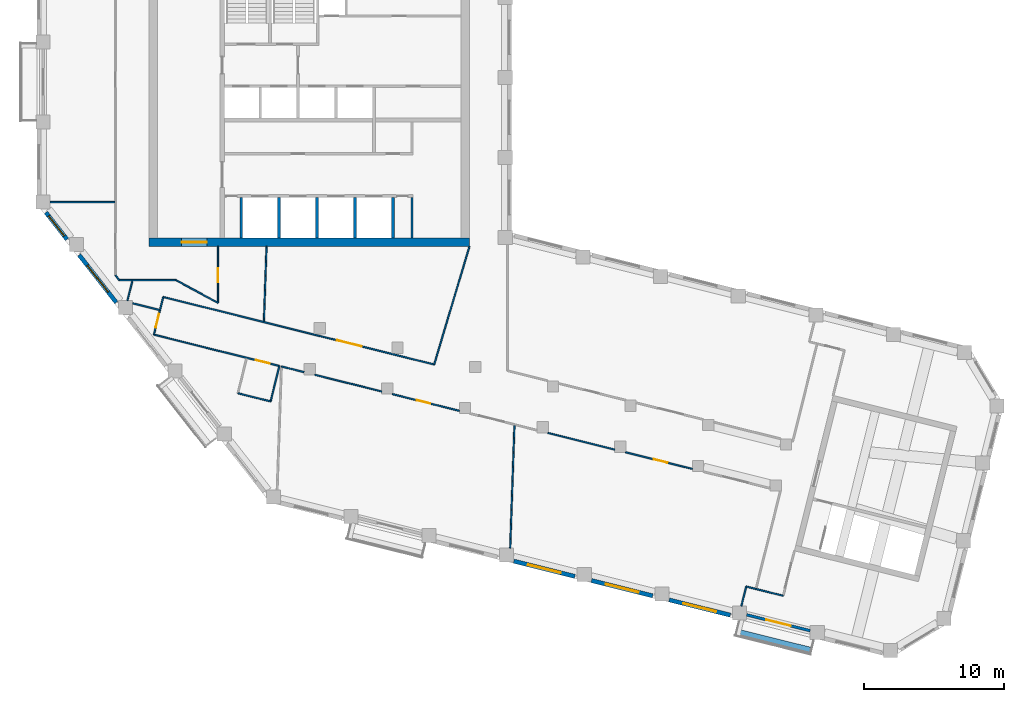
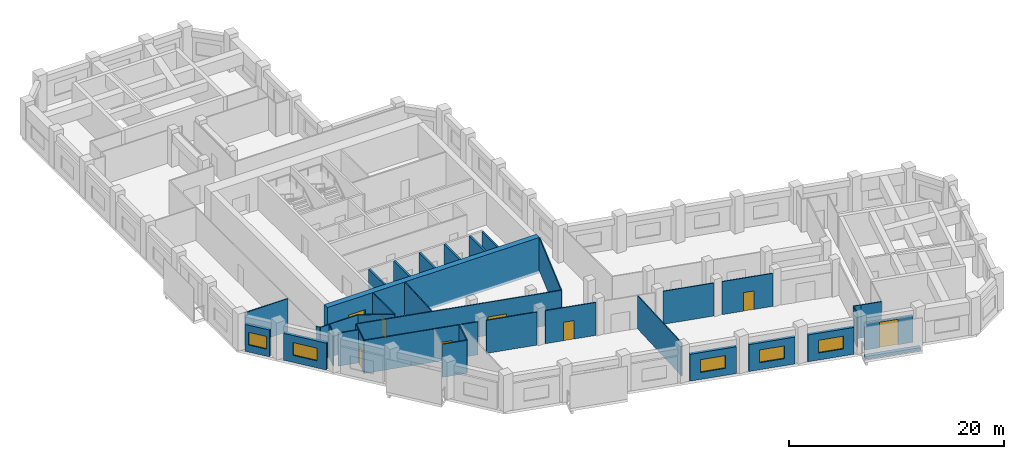
# One storey, part 3 of 9: 37 walls, 8 doors, 5 windows, 13 openings.
"""IFC4 building model written with IfcOpenShell, lengths in metres."""

import ifcopenshell
import ifcopenshell.guid

model = None  # the IFC model being written
_history = None  # IfcOwnerHistory: only IFC2X3 demands one
_inside = {}  # id of a spatial element -> (the spatial element, [elements in it])
_under = {}  # id of a project, library or spatial element -> (it, [spatial elements below it])
_declared = {}  # id of a project -> (the project, [libraries it declares])
_typed = {}  # id of a type object -> (the type object, [elements of that type])
_made_of = {}  # id of a material, layer set ... -> (it, [elements and type objects made of it])


def new_model(schema):
    """Start an empty IFC model of exactly this schema.

    Asked for "IFC4X3", IfcOpenShell would pick the latest addendum, in which some entities
    have other attributes; the version numbers below select the first issue.
    IFC2X3 requires an IfcOwnerHistory on every rooted entity: one is made here for all.
    """
    global model, _history
    if schema == "IFC4X3":
        model = ifcopenshell.file(schema_version=(4, 3, 0, 0))
    else:
        model = ifcopenshell.file(schema=schema)
    _inside.clear()
    _under.clear()
    _declared.clear()
    _typed.clear()
    _made_of.clear()
    _history = None
    if model.schema == "IFC2X3":
        org = make("IfcOrganization", Name="unknown")
        user = make(
            "IfcPersonAndOrganization",
            ThePerson=make("IfcPerson", FamilyName="unknown"),
            TheOrganization=org,
        )
        app = make(
            "IfcApplication",
            ApplicationDeveloper=org,
            Version="unknown",
            ApplicationFullName="unknown",
            ApplicationIdentifier="unknown",
        )
        _history = make(
            "IfcOwnerHistory",
            OwningUser=user,
            OwningApplication=app,
            ChangeAction="ADDED",
            CreationDate=0,
        )
    return model


def make(cls, **values):
    """One entity of the class cls with the attributes given. An attribute that is None is left unset."""
    return model.create_entity(
        cls, **{name: value for name, value in values.items() if value is not None}
    )


def rooted(cls, **values):
    """An entity with a GlobalId (a new one), such as an element, a storey or a relation."""
    return make(cls, GlobalId=ifcopenshell.guid.new(), OwnerHistory=_history, **values)


def si_unit(unit_type, name, prefix=None):
    """IfcSIUnit, for example si_unit("LENGTHUNIT", "METRE", prefix="MILLI")."""
    return make("IfcSIUnit", UnitType=unit_type, Prefix=prefix, Name=name)


def assignment(units):
    """IfcUnitAssignment: the units of a project."""
    return None if units is None else make("IfcUnitAssignment", Units=units)


def point(xyz):
    """IfcCartesianPoint."""
    return None if xyz is None else make("IfcCartesianPoint", Coordinates=xyz)


def direction(xyz):
    """IfcDirection."""
    return None if xyz is None else make("IfcDirection", DirectionRatios=xyz)


def frame(location, z_axis=None, x_axis=None):
    """IfcAxis2Placement3D, a coordinate frame: its origin and axes. An axis left out is left unset."""
    return make(
        "IfcAxis2Placement3D",
        Location=point(location),
        Axis=direction(z_axis),
        RefDirection=direction(x_axis),
    )


def frame_2d(location, x_axis=None):
    """IfcAxis2Placement2D, a coordinate frame in the plane: its origin and x axis."""
    return make(
        "IfcAxis2Placement2D", Location=point(location), RefDirection=direction(x_axis)
    )


def origin():
    """The frame at (0, 0, 0) with its axes left unset."""
    return frame((0.0, 0.0, 0.0))


def place(relative_to, where):
    """IfcLocalPlacement: puts the frame where relative to a parent placement (None: the world)."""
    return make(
        "IfcLocalPlacement", PlacementRelTo=relative_to, RelativePlacement=where
    )


def context(
    kind, dimensions, precision=None, world=None, true_north=None, identifier=None
):
    """IfcGeometricRepresentationContext, for example the 3D "Model" context."""
    return make(
        "IfcGeometricRepresentationContext",
        ContextIdentifier=identifier,
        ContextType=kind,
        CoordinateSpaceDimension=dimensions,
        Precision=precision,
        WorldCoordinateSystem=world,
        TrueNorth=true_north,
    )


def subcontext(parent, identifier, kind, view, scale=None):
    """IfcGeometricRepresentationSubContext, for example "Body" below "Model"."""
    return make(
        "IfcGeometricRepresentationSubContext",
        ContextIdentifier=identifier,
        ContextType=kind,
        ParentContext=parent,
        TargetScale=scale,
        TargetView=view,
    )


def project(units=None, contexts=None):
    """IfcProject with its units and contexts."""
    return rooted(
        "IfcProject",
        Name="project",
        RepresentationContexts=contexts,
        UnitsInContext=assignment(units),
    )


def spatial(cls, under=None, at=None, **own):
    """A site, building, storey or space (cls), placed at a placement, below another one or the project."""
    s = rooted(cls, ObjectPlacement=at, **own)
    if under is not None:
        _under.setdefault(under.id(), (under, []))[1].append(s)
    return s


def profile(cls, at=None, kind="AREA", **sizes):
    """A parametric profile (cls). Its sizes go by their IFC names, for example OverallWidth=200.0."""
    return make(cls, ProfileType=kind, Position=at, **sizes)


def rectangle(**sizes):
    """IfcRectangleProfileDef."""
    return profile("IfcRectangleProfileDef", **sizes)


def extrude(swept, where, along, depth):
    """IfcExtrudedAreaSolid: the profile swept, set in the frame where, extruded along a direction by depth."""
    return make(
        "IfcExtrudedAreaSolid",
        SweptArea=swept,
        Position=where,
        ExtrudedDirection=direction(along),
        Depth=depth,
    )


def shape(context_of_items, identifier, shape_type, items):
    """IfcShapeRepresentation: the items that make up one representation, for example the "Body"."""
    return make(
        "IfcShapeRepresentation",
        ContextOfItems=context_of_items,
        RepresentationIdentifier=identifier,
        RepresentationType=shape_type,
        Items=items,
    )


def material(Name=None, Category=None):
    """IfcMaterial."""
    return make("IfcMaterial", Name=Name, Category=Category)


def layer(
    of_material, thickness, ventilated=None, Name=None, Category=None, Priority=None
):
    """IfcMaterialLayer: one layer of a wall or slab, of a material (None: an air gap)."""
    return make(
        "IfcMaterialLayer",
        Material=of_material,
        LayerThickness=thickness,
        IsVentilated=ventilated,
        Name=Name,
        Category=Category,
        Priority=Priority,
    )


def layer_set(layers, Name=None):
    """IfcMaterialLayerSet."""
    return make("IfcMaterialLayerSet", MaterialLayers=layers, LayerSetName=Name)


def made_of(thing, what):
    """Note that an element or type object is made of a material, layer set ...; save() writes the relation."""
    if what is not None:
        _made_of.setdefault(what.id(), (what, []))[1].append(thing)
    return thing


def type_object(cls, material=None, **own):
    """A type object (cls), such as IfcWallType, which elements share."""
    return made_of(rooted(cls, **own), material)


def element(
    cls,
    number,
    at=None,
    inside=None,
    cuts=None,
    type_object=None,
    material=None,
    context=None,
    identifier="Body",
    shape_type=None,
    held_by="IfcProductDefinitionShape",
    body=None,
    shapes=None,
    **own,
):
    """One element of the class cls, such as IfcWall. Its Tag is "e" and its number.

    at: its placement. inside: the storey or other place that contains it. cuts: it is an
    opening in that element (IfcRelVoidsElement). A single representation is given by context,
    identifier, shape_type and body (its items); several are given by shapes. held_by: the class
    of the entity that holds the representations. save() writes the other relations.
    """
    e = rooted(cls, Tag="e%d" % number, ObjectPlacement=at, **own)
    if body is not None:
        shapes = [shape(context, identifier, shape_type, body)]
    if shapes is not None:
        e.Representation = make(held_by, Representations=shapes)
    if inside is not None:
        _inside.setdefault(inside.id(), (inside, []))[1].append(e)
    if cuts is not None:
        rooted(
            "IfcRelVoidsElement", RelatingBuildingElement=cuts, RelatedOpeningElement=e
        )
    if type_object is not None:
        _typed.setdefault(type_object.id(), (type_object, []))[1].append(e)
    return made_of(e, material)


def fill(opening, filler):
    """IfcRelFillsElement: the door or window that sits in an opening."""
    return rooted(
        "IfcRelFillsElement",
        RelatingOpeningElement=opening,
        RelatedBuildingElement=filler,
    )


def aggregate(whole, parts):
    """IfcRelAggregates: a whole, such as a stair, and the parts it consists of."""
    return rooted("IfcRelAggregates", RelatingObject=whole, RelatedObjects=parts)


def save(model, path):
    """Write the relations noted so far, then the file.

    IfcRelAggregates (storeys below a building ...), IfcRelContainedInSpatialStructure (elements
    in a storey), IfcRelDefinesByType, IfcRelAssociatesMaterial and IfcRelDeclares: one each for
    every whole, place, type object, material and project.
    """
    for whole, parts in _under.values():
        aggregate(whole, parts)
    for where, things in _inside.values():
        rooted(
            "IfcRelContainedInSpatialStructure",
            RelatedElements=things,
            RelatingStructure=where,
        )
    for kind, things in _typed.values():
        rooted("IfcRelDefinesByType", RelatedObjects=things, RelatingType=kind)
    for what, things in _made_of.values():
        rooted("IfcRelAssociatesMaterial", RelatedObjects=things, RelatingMaterial=what)
    for by, libraries in _declared.values():
        rooted("IfcRelDeclares", RelatingContext=by, RelatedDefinitions=libraries)
    model.write(path)


model = new_model("IFC4")

# Units and contexts
model_context = context("Model", 3, precision=1e-05, world=origin(), true_north=direction((0.0, 1.0)))
body_context = subcontext(model_context, "Body", "Model", "MODEL_VIEW")
ifc_project = project(units=[si_unit("LENGTHUNIT", "METRE"), si_unit("AREAUNIT", "SQUARE_METRE"), si_unit("VOLUMEUNIT", "CUBIC_METRE"), si_unit("PLANEANGLEUNIT", "RADIAN"), si_unit("MASSUNIT", "GRAM", prefix="KILO")], contexts=[model_context])

# Site, building, storey
site_placement = place(None, origin())
site = spatial("IfcSite", under=ifc_project, at=site_placement, CompositionType="ELEMENT")
building_placement = place(site_placement, origin())
building = spatial("IfcBuilding", under=site, at=building_placement, Name="Meshkara Civic Tower", CompositionType="ELEMENT")
storey_placement = place(building_placement, frame((0.0, 0.0, 344.39990234375)))
storey = spatial("IfcBuildingStorey", under=building, at=storey_placement, Name="L79", CompositionType="ELEMENT", Elevation=344.39990234375)

# Wall
ifc_material_1 = material(Name="Blockwork", Category="masonry")
ifc_layer_1 = layer(ifc_material_1, 0.14990234375)
ifc_layer_set_1 = layer_set([ifc_layer_1], Name="Core partition 150")
wall_type_1 = type_object("IfcWallType", Name="Core partition 150", PredefinedType="PARTITIONING", material=ifc_layer_set_1)
wall_1_placement = place(storey_placement, frame((26.699951171875, 14.699951171875, 0.0), z_axis=(0.0, 0.0, 1.0), x_axis=(0.0, 1.0, 0.0)))
element("IfcWall", 1, at=wall_1_placement, inside=storey, type_object=wall_type_1, Name="L79-C024", PredefinedType="PARTITIONING", context=body_context, shape_type="SweptSolid", body=[
    extrude(rectangle(XDim=2.900146484375, YDim=0.14990234375, at=frame_2d((1.4501953125, 0.0))), origin(), (0.0, 0.0, 1.0), 3.75),
])

# Wall, opening, door
ifc_material_2 = material(Name="Concrete C60", Category="concrete")
ifc_layer_2 = layer(ifc_material_2, 0.60009765625)
ifc_layer_set_2 = layer_set([ifc_layer_2], Name="Core ring wall 600 C60")
wall_type_2 = type_object("IfcWallType", Name="Core ring wall 600 C60", PredefinedType="SHEAR", material=ifc_layer_set_2)
wall_2_placement = place(storey_placement, frame((8.0, 14.39990234375, -0.2998046875), z_axis=(0.0, 0.0, 1.0), x_axis=(1.0, 0.0, 0.0)))
wall_2 = element("IfcWall", 2, at=wall_2_placement, inside=storey, type_object=wall_type_2, Name="L79-C001", PredefinedType="SHEAR", context=body_context, shape_type="SweptSolid", body=[
    extrude(rectangle(XDim=22.800048828125, YDim=0.60009765625, at=frame_2d((11.39990234375, 0.0))), origin(), (0.0, 0.0, 1.0), 4.0498046875),
])
opening_1_placement = place(wall_2_placement, frame((2.300048828125, 0.0, 0.300048828125)))
opening_1 = element("IfcOpeningElement", 3, at=opening_1_placement, cuts=wall_2, Name="Opening L79-K022", PredefinedType="OPENING", context=body_context, shape_type="SweptSolid", body=[
    extrude(rectangle(XDim=1.800048828125, YDim=2.10009765625, at=frame_2d((0.89990234375, 1.050048828125))), frame((0.0, 0.31005859375, 0.0), z_axis=(0.0, -1.0, 0.0), x_axis=(1.0, 0.0, 0.0)), (0.0, 0.0, 1.0), 0.6201171875),
])
ifc_material_3 = material(Name="Fire-rated door leaf in steel frame", Category="steel")
door_type_1 = type_object("IfcDoorType", Name="Core double door 1800 EI 60", OperationType="DOUBLE_DOOR_SINGLE_SWING", PredefinedType="DOOR", material=ifc_material_3)
door_1_placement = place(opening_1_placement, origin())
door_1 = element("IfcDoor", 4, at=door_1_placement, inside=storey, type_object=door_type_1, Name="L79-K022", OperationType="DOUBLE_DOOR_SINGLE_SWING", OverallHeight=2.10009765625, OverallWidth=1.800048828125, PredefinedType="DOOR", context=body_context, shape_type="SweptSolid", body=[
    extrude(rectangle(XDim=1.800048828125, YDim=2.10009765625, at=frame_2d((0.89990234375, 1.050048828125))), frame((0.0, 0.02490234375, 0.0), z_axis=(0.0, -1.0, 0.0), x_axis=(1.0, 0.0, 0.0)), (0.0, 0.0, 1.0), 0.050048828125),
])
fill(opening_1, door_1)

# Walls
ifc_material_4 = material(Name="Corridor wall 100")
ifc_layer_3 = layer(ifc_material_4, 0.10009765625)
ifc_layer_set_3 = layer_set([ifc_layer_3], Name="Corridor wall 100")
wall_type_3 = type_object("IfcWallType", Name="Corridor wall 100", PredefinedType="PARTITIONING", material=ifc_layer_set_3)
wall_3_placement = place(storey_placement, frame((5.60009765625, 12.0439453125, 0.0), z_axis=(0.0, 0.0, 1.0), x_axis=(0.614328236968, -0.789050579661, 0.0)))
element("IfcWall", 5, at=wall_3_placement, inside=storey, type_object=wall_type_3, Name="L79-W003", PredefinedType="PARTITIONING", context=body_context, shape_type="SweptSolid", body=[
    extrude(rectangle(XDim=0.43603515625, YDim=0.10009765625, at=frame_2d((0.218017578125, 0.0))), origin(), (0.0, 0.0, 1.0), 3.75),
])
wall_4_placement = place(storey_placement, frame((5.867919921875, 11.699951171875, 0.0), z_axis=(0.0, 0.0, 1.0), x_axis=(1.0, 0.0, 0.0)))
element("IfcWall", 6, at=wall_4_placement, inside=storey, type_object=wall_type_3, Name="L79-W006", PredefinedType="PARTITIONING", context=body_context, shape_type="SweptSolid", body=[
    extrude(rectangle(XDim=4.031982421875, YDim=0.10009765625, at=frame_2d((2.01611328125, 0.0))), origin(), (0.0, 0.0, 1.0), 3.75),
])

# Wall, opening, door
wall_5_placement = place(storey_placement, frame((8.3330078125, 7.81494140625, 0.0), z_axis=(0.0, 0.0, 1.0), x_axis=(0.970301331289, -0.241899414012, 0.0)))
wall_5 = element("IfcWall", 7, at=wall_5_placement, inside=storey, type_object=wall_type_3, Name="L79-W007", PredefinedType="PARTITIONING", context=body_context, shape_type="SweptSolid", body=[
    extrude(rectangle(XDim=9.21044921875, YDim=0.10009765625, at=frame_2d((4.605224609375, 0.0))), origin(), (0.0, 0.0, 1.0), 3.75),
])
opening_2_placement = place(wall_5_placement, frame((7.489990234375, 0.0, 0.0)))
opening_2 = element("IfcOpeningElement", 8, at=opening_2_placement, cuts=wall_5, Name="Opening L79-D004", PredefinedType="OPENING", context=body_context, shape_type="SweptSolid", body=[
    extrude(rectangle(XDim=1.0, YDim=2.10009765625, at=frame_2d((0.5, 1.050048828125))), frame((0.0, 0.06005859375, 0.0), z_axis=(0.0, -1.0, 0.0), x_axis=(1.0, 0.0, 0.0)), (0.0, 0.0, 1.0), 0.1201171875),
])
ifc_material_5 = material(Name="Door 1000 x 2100")
door_type_2 = type_object("IfcDoorType", Name="Door 1000 x 2100", OperationType="SINGLE_SWING_LEFT", PredefinedType="DOOR", material=ifc_material_5)
door_2_placement = place(opening_2_placement, origin())
door_2 = element("IfcDoor", 9, at=door_2_placement, inside=storey, type_object=door_type_2, Name="L79-D004", OperationType="SINGLE_SWING_RIGHT", OverallHeight=2.10009765625, OverallWidth=1.0, PredefinedType="DOOR", context=body_context, shape_type="SweptSolid", body=[
    extrude(rectangle(XDim=1.0, YDim=2.10009765625, at=frame_2d((0.5, 1.050048828125))), frame((0.0, 0.02490234375, 0.0), z_axis=(0.0, -1.0, 0.0), x_axis=(1.0, 0.0, 0.0)), (0.0, 0.0, 1.0), 0.050048828125),
])
fill(opening_2, door_2)

wall_6_placement = place(storey_placement, frame((9.001953125, 10.4990234375, 0.0), z_axis=(0.0, 0.0, 1.0), x_axis=(0.970298340477, -0.241911410372, 0.0)))
wall_6 = element("IfcWall", 10, at=wall_6_placement, inside=storey, type_object=wall_type_3, Name="L79-W008", PredefinedType="PARTITIONING", context=body_context, shape_type="SweptSolid", body=[
    extrude(rectangle(XDim=19.879638671875, YDim=0.10009765625, at=frame_2d((9.93994140625, 0.0))), origin(), (0.0, 0.0, 1.0), 3.75),
])
opening_3_placement = place(wall_6_placement, frame((12.7490234375, 0.0, 0.0)))
opening_3 = element("IfcOpeningElement", 11, at=opening_3_placement, cuts=wall_6, Name="Opening L79-D010", PredefinedType="OPENING", context=body_context, shape_type="SweptSolid", body=[
    extrude(rectangle(XDim=1.800048828125, YDim=2.10009765625, at=frame_2d((0.89990234375, 1.050048828125))), frame((0.0, 0.06005859375, 0.0), z_axis=(0.0, -1.0, 0.0), x_axis=(1.0, 0.0, 0.0)), (0.0, 0.0, 1.0), 0.1201171875),
])
ifc_material_6 = material(Name="Door pair 1800 x 2100")
door_type_3 = type_object("IfcDoorType", Name="Door pair 1800 x 2100", OperationType="SINGLE_SWING_LEFT", PredefinedType="DOOR", material=ifc_material_6)
door_3_placement = place(opening_3_placement, origin())
door_3 = element("IfcDoor", 12, at=door_3_placement, inside=storey, type_object=door_type_3, Name="L79-D010", OperationType="DOUBLE_DOOR_SINGLE_SWING", OverallHeight=2.10009765625, OverallWidth=1.800048828125, PredefinedType="DOOR", context=body_context, shape_type="SweptSolid", body=[
    extrude(rectangle(XDim=1.800048828125, YDim=2.10009765625, at=frame_2d((0.89990234375, 1.050048828125))), frame((0.0, 0.02490234375, 0.0), z_axis=(0.0, -1.0, 0.0), x_axis=(1.0, 0.0, 0.0)), (0.0, 0.0, 1.0), 0.050048828125),
])
fill(opening_3, door_3)

wall_7_placement = place(storey_placement, frame((9.001953125, 10.4990234375, 0.0), z_axis=(0.0, 0.0, 1.0), x_axis=(-0.2418294893, -0.970318761081, 0.0)))
wall_7 = element("IfcWall", 13, at=wall_7_placement, inside=storey, type_object=wall_type_3, Name="L79-W009", PredefinedType="PARTITIONING", context=body_context, shape_type="SweptSolid", body=[
    extrude(rectangle(XDim=2.76611328125, YDim=0.10009765625, at=frame_2d((1.383056640625, 0.0))), origin(), (0.0, 0.0, 1.0), 3.75),
])
opening_4_placement = place(wall_7_placement, frame((1.243896484375, 0.0, 0.0)))
opening_4 = element("IfcOpeningElement", 14, at=opening_4_placement, cuts=wall_7, Name="Opening L79-D009", PredefinedType="OPENING", context=body_context, shape_type="SweptSolid", body=[
    extrude(rectangle(XDim=1.0, YDim=2.10009765625, at=frame_2d((0.5, 1.050048828125))), frame((0.0, 0.06005859375, 0.0), z_axis=(0.0, -1.0, 0.0), x_axis=(1.0, 0.0, 0.0)), (0.0, 0.0, 1.0), 0.1201171875),
])
door_4_placement = place(opening_4_placement, origin())
door_4 = element("IfcDoor", 15, at=door_4_placement, inside=storey, type_object=door_type_2, Name="L79-D009", OperationType="SINGLE_SWING_RIGHT", OverallHeight=2.10009765625, OverallWidth=1.0, PredefinedType="DOOR", context=body_context, shape_type="SweptSolid", body=[
    extrude(rectangle(XDim=1.0, YDim=2.10009765625, at=frame_2d((0.5, 1.050048828125))), frame((0.0, 0.02490234375, 0.0), z_axis=(0.0, -1.0, 0.0), x_axis=(1.0, 0.0, 0.0)), (0.0, 0.0, 1.0), 0.050048828125),
])
fill(opening_4, door_4)

# Wall
wall_8_placement = place(storey_placement, frame((9.89990234375, 11.699951171875, 0.0), z_axis=(0.0, 0.0, 1.0), x_axis=(0.87965147249, -0.475618846291, 0.0)))
element("IfcWall", 16, at=wall_8_placement, inside=storey, type_object=wall_type_3, Name="L79-W010", PredefinedType="PARTITIONING", context=body_context, shape_type="SweptSolid", body=[
    extrude(rectangle(XDim=3.410400390625, YDim=0.10009765625, at=frame_2d((1.705078125, 0.0))), origin(), (0.0, 0.0, 1.0), 3.75),
])

# Wall, opening, door
wall_9_placement = place(storey_placement, frame((12.89990234375, 10.077880859375, 0.0), z_axis=(0.0, 0.0, 1.0), x_axis=(0.0, 1.0, 0.0)))
wall_9 = element("IfcWall", 17, at=wall_9_placement, inside=storey, type_object=wall_type_3, Name="L79-W015", PredefinedType="PARTITIONING", context=body_context, shape_type="SweptSolid", body=[
    extrude(rectangle(XDim=4.022216796875, YDim=0.10009765625, at=frame_2d((2.01123046875, 0.0))), origin(), (0.0, 0.0, 1.0), 3.75),
])
opening_5_placement = place(wall_9_placement, frame((1.47998046875, 0.0, 0.0)))
opening_5 = element("IfcOpeningElement", 18, at=opening_5_placement, cuts=wall_9, Name="Opening L79-D013", PredefinedType="OPENING", context=body_context, shape_type="SweptSolid", body=[
    extrude(rectangle(XDim=1.0, YDim=2.10009765625, at=frame_2d((0.5, 1.050048828125))), frame((0.0, 0.06005859375, 0.0), z_axis=(0.0, -1.0, 0.0), x_axis=(1.0, 0.0, 0.0)), (0.0, 0.0, 1.0), 0.1201171875),
])
door_5_placement = place(opening_5_placement, origin())
door_5 = element("IfcDoor", 19, at=door_5_placement, inside=storey, type_object=door_type_2, Name="L79-D013", OperationType="SINGLE_SWING_RIGHT", OverallHeight=2.10009765625, OverallWidth=1.0, PredefinedType="DOOR", context=body_context, shape_type="SweptSolid", body=[
    extrude(rectangle(XDim=1.0, YDim=2.10009765625, at=frame_2d((0.5, 1.050048828125))), frame((0.0, 0.02490234375, 0.0), z_axis=(0.0, -1.0, 0.0), x_axis=(1.0, 0.0, 0.0)), (0.0, 0.0, 1.0), 0.050048828125),
])
fill(opening_5, door_5)

# Walls
wall_10_placement = place(storey_placement, frame((17.4150390625, 5.551025390625, 0.0), z_axis=(0.0, 0.0, 1.0), x_axis=(0.970298198748, -0.241911978838, 0.0)))
element("IfcWall", 20, at=wall_10_placement, inside=storey, type_object=wall_type_3, Name="L79-W016", PredefinedType="PARTITIONING", context=body_context, shape_type="SweptSolid", body=[
    extrude(rectangle(XDim=1.658203125, YDim=0.10009765625, at=frame_2d((0.8291015625, 0.0))), origin(), (0.0, 0.0, 1.0), 3.75),
])
wall_11_placement = place(storey_placement, frame((19.785888671875, 4.9599609375, 0.0), z_axis=(0.0, 0.0, 1.0), x_axis=(0.970288447449, -0.24195108751, 0.0)))
element("IfcWall", 21, at=wall_11_placement, inside=storey, type_object=wall_type_3, Name="L79-W017", PredefinedType="PARTITIONING", context=body_context, shape_type="SweptSolid", body=[
    extrude(rectangle(XDim=4.9140625, YDim=0.10009765625, at=frame_2d((2.45703125, 0.0))), origin(), (0.0, 0.0, 1.0), 3.75),
])

# Wall, opening, door
wall_12_placement = place(storey_placement, frame((25.318115234375, 3.5810546875, 0.0), z_axis=(0.0, 0.0, 1.0), x_axis=(0.970320559999, -0.241822271189, 0.0)))
wall_12 = element("IfcWall", 22, at=wall_12_placement, inside=storey, type_object=wall_type_3, Name="L79-W020", PredefinedType="PARTITIONING", context=body_context, shape_type="SweptSolid", body=[
    extrude(rectangle(XDim=4.91259765625, YDim=0.10009765625, at=frame_2d((2.456298828125, 0.0))), origin(), (0.0, 0.0, 1.0), 3.75),
])
opening_6_placement = place(wall_12_placement, frame((1.780029296875, 0.0, 0.0)))
opening_6 = element("IfcOpeningElement", 23, at=opening_6_placement, cuts=wall_12, Name="Opening L79-D005", PredefinedType="OPENING", context=body_context, shape_type="SweptSolid", body=[
    extrude(rectangle(XDim=1.0, YDim=2.10009765625, at=frame_2d((0.5, 1.050048828125))), frame((0.0, 0.06005859375, 0.0), z_axis=(0.0, -1.0, 0.0), x_axis=(1.0, 0.0, 0.0)), (0.0, 0.0, 1.0), 0.1201171875),
])
door_6_placement = place(opening_6_placement, origin())
door_6 = element("IfcDoor", 24, at=door_6_placement, inside=storey, type_object=door_type_2, Name="L79-D005", OperationType="SINGLE_SWING_RIGHT", OverallHeight=2.10009765625, OverallWidth=1.0, PredefinedType="DOOR", context=body_context, shape_type="SweptSolid", body=[
    extrude(rectangle(XDim=1.0, YDim=2.10009765625, at=frame_2d((0.5, 1.050048828125))), frame((0.0, 0.02490234375, 0.0), z_axis=(0.0, -1.0, 0.0), x_axis=(1.0, 0.0, 0.0)), (0.0, 0.0, 1.0), 0.050048828125),
])
fill(opening_6, door_6)

# Walls
wall_13_placement = place(storey_placement, frame((30.800048828125, 14.10009765625, 0.0), z_axis=(0.0, 0.0, 1.0), x_axis=(-0.28588265334, -0.958264633867, 0.0)))
element("IfcWall", 25, at=wall_13_placement, inside=storey, type_object=wall_type_3, Name="L79-W021", PredefinedType="PARTITIONING", context=body_context, shape_type="SweptSolid", body=[
    extrude(rectangle(XDim=8.7763671875, YDim=0.10009765625, at=frame_2d((4.38818359375, 0.0))), origin(), (0.0, 0.0, 1.0), 3.75),
])
wall_14_placement = place(storey_placement, frame((36.382080078125, 0.822998046875, 0.0), z_axis=(0.0, 0.0, 1.0), x_axis=(0.970285656006, -0.241962281665, 0.0)))
element("IfcWall", 26, at=wall_14_placement, inside=storey, type_object=wall_type_3, Name="L79-W025", PredefinedType="PARTITIONING", context=body_context, shape_type="SweptSolid", body=[
    extrude(rectangle(XDim=4.909912109375, YDim=0.10009765625, at=frame_2d((2.455078125, 0.0))), origin(), (0.0, 0.0, 1.0), 3.75),
])

# Wall, opening, door
wall_15_placement = place(storey_placement, frame((41.9130859375, -0.555908203125, 0.0), z_axis=(0.0, 0.0, 1.0), x_axis=(0.970285656006, -0.241962281665, 0.0)))
wall_15 = element("IfcWall", 27, at=wall_15_placement, inside=storey, type_object=wall_type_3, Name="L79-W027", PredefinedType="PARTITIONING", context=body_context, shape_type="SweptSolid", body=[
    extrude(rectangle(XDim=4.909912109375, YDim=0.10009765625, at=frame_2d((2.455078125, 0.0))), origin(), (0.0, 0.0, 1.0), 3.75),
])
opening_7_placement = place(wall_15_placement, frame((2.080078125, 0.0, 0.0)))
opening_7 = element("IfcOpeningElement", 28, at=opening_7_placement, cuts=wall_15, Name="Opening L79-D002", PredefinedType="OPENING", context=body_context, shape_type="SweptSolid", body=[
    extrude(rectangle(XDim=1.0, YDim=2.10009765625, at=frame_2d((0.5, 1.050048828125))), frame((0.0, 0.06005859375, 0.0), z_axis=(0.0, -1.0, 0.0), x_axis=(1.0, 0.0, 0.0)), (0.0, 0.0, 1.0), 0.1201171875),
])
door_7_placement = place(opening_7_placement, origin())
door_7 = element("IfcDoor", 29, at=door_7_placement, inside=storey, type_object=door_type_2, Name="L79-D002", OperationType="SINGLE_SWING_LEFT", OverallHeight=2.10009765625, OverallWidth=1.0, PredefinedType="DOOR", context=body_context, shape_type="SweptSolid", body=[
    extrude(rectangle(XDim=1.0, YDim=2.10009765625, at=frame_2d((0.5, 1.050048828125))), frame((0.0, 0.02490234375, 0.0), z_axis=(0.0, -1.0, 0.0), x_axis=(1.0, 0.0, 0.0)), (0.0, 0.0, 1.0), 0.050048828125),
])
fill(opening_7, door_7)

# Wall
wall_16_placement = place(storey_placement, frame((51.200927734375, -10.2919921875, 0.0), z_axis=(0.0, 0.0, 1.0), x_axis=(0.970307382734, -0.241875139301, 0.0)))
element("IfcWall", 30, at=wall_16_placement, inside=storey, type_object=wall_type_3, Name="L79-W031", PredefinedType="PARTITIONING", context=body_context, shape_type="SweptSolid", body=[
    extrude(rectangle(XDim=2.00048828125, YDim=0.10009765625, at=frame_2d((1.000244140625, 0.0))), origin(), (0.0, 0.0, 1.0), 3.75),
])

# Wall, opening, window
ifc_material_7 = material(Name="Insulated infill panel with bronze anodised aluminium cladding", Category="aluminium")
ifc_layer_4 = layer(ifc_material_7, 0.300048828125)
ifc_layer_set_4 = layer_set([ifc_layer_4], Name="EXTERNAL INFILL WALL 300")
wall_type_4 = type_object("IfcWallType", Name="EXTERNAL INFILL WALL 300", PredefinedType="SOLIDWALL", material=ifc_layer_set_4)
wall_17_placement = place(storey_placement, frame((0.64599609375, 16.51708984375, 0.0), z_axis=(0.0, 0.0, 1.0), x_axis=(0.615610986717, -0.788050197026, 0.0)))
wall_17 = element("IfcWall", 31, at=wall_17_placement, inside=storey, type_object=wall_type_4, Name="External wall", PredefinedType="SOLIDWALL", context=body_context, shape_type="SweptSolid", body=[
    extrude(rectangle(XDim=2.4365234375, YDim=0.300048828125, at=frame_2d((1.21826171875, 0.0))), origin(), (0.0, 0.0, 1.0), 3.050048828125),
])
opening_8_placement = place(wall_17_placement, frame((0.318115234375, 0.0, 0.800048828125)))
opening_8 = element("IfcOpeningElement", 32, at=opening_8_placement, cuts=wall_17, Name="Opening W10", PredefinedType="OPENING", context=body_context, shape_type="SweptSolid", body=[
    extrude(rectangle(XDim=1.800048828125, YDim=1.449951171875, at=frame_2d((0.89990234375, 0.72509765625))), frame((0.0, 0.159912109375, 0.0), z_axis=(0.0, -1.0, 0.0), x_axis=(1.0, 0.0, 0.0)), (0.0, 0.0, 1.0), 0.320068359375),
])
ifc_material_8 = material(Name="Tinted double glazing", Category="glass")
window_type_1 = type_object("IfcWindowType", Name="WINDOW 1800x1450", PartitioningType="DOUBLE_PANEL_VERTICAL", PredefinedType="WINDOW", material=ifc_material_8)
window_1_placement = place(opening_8_placement, origin())
window_1 = element("IfcWindow", 33, at=window_1_placement, inside=storey, type_object=window_type_1, Name="Window", OverallHeight=1.449951171875, OverallWidth=1.800048828125, PartitioningType="DOUBLE_PANEL_VERTICAL", PredefinedType="WINDOW", context=body_context, shape_type="SweptSolid", body=[
    extrude(rectangle(XDim=1.800048828125, YDim=1.449951171875, at=frame_2d((0.89990234375, 0.72509765625))), frame((0.0, 0.030029296875, 0.0), z_axis=(0.0, -1.0, 0.0), x_axis=(1.0, 0.0, 0.0)), (0.0, 0.0, 1.0), 0.06005859375),
])
fill(opening_8, window_1)

wall_18_placement = place(storey_placement, frame((3.010009765625, 13.490966796875, 0.0), z_axis=(0.0, 0.0, 1.0), x_axis=(0.615713519567, -0.787970089421, 0.0)))
wall_18 = element("IfcWall", 34, at=wall_18_placement, inside=storey, type_object=wall_type_4, Name="External wall", PredefinedType="SOLIDWALL", context=body_context, shape_type="SweptSolid", body=[
    extrude(rectangle(XDim=4.2958984375, YDim=0.300048828125, at=frame_2d((2.14794921875, 0.0))), origin(), (0.0, 0.0, 1.0), 3.050048828125),
])
opening_9_placement = place(wall_18_placement, frame((0.947998046875, 0.0, 0.800048828125)))
opening_9 = element("IfcOpeningElement", 35, at=opening_9_placement, cuts=wall_18, Name="Opening W8", PredefinedType="OPENING", context=body_context, shape_type="SweptSolid", body=[
    extrude(rectangle(XDim=2.39990234375, YDim=1.449951171875, at=frame_2d((1.199951171875, 0.72509765625))), frame((0.0, 0.159912109375, 0.0), z_axis=(0.0, -1.0, 0.0), x_axis=(1.0, 0.0, 0.0)), (0.0, 0.0, 1.0), 0.320068359375),
])
ifc_material_9 = material(Name="Tinted double glazing", Category="glass")
window_type_2 = type_object("IfcWindowType", Name="WINDOW 2400x1450", PartitioningType="DOUBLE_PANEL_VERTICAL", PredefinedType="WINDOW", material=ifc_material_9)
window_2_placement = place(opening_9_placement, origin())
window_2 = element("IfcWindow", 36, at=window_2_placement, inside=storey, type_object=window_type_2, Name="Window", OverallHeight=1.449951171875, OverallWidth=2.39990234375, PartitioningType="DOUBLE_PANEL_VERTICAL", PredefinedType="WINDOW", context=body_context, shape_type="SweptSolid", body=[
    extrude(rectangle(XDim=2.39990234375, YDim=1.449951171875, at=frame_2d((1.199951171875, 0.72509765625))), frame((0.0, 0.030029296875, 0.0), z_axis=(0.0, -1.0, 0.0), x_axis=(1.0, 0.0, 0.0)), (0.0, 0.0, 1.0), 0.06005859375),
])
fill(opening_9, window_2)

wall_19_placement = place(storey_placement, frame((33.958984375, -8.31201171875, 0.0), z_axis=(0.0, 0.0, 1.0), x_axis=(0.970276766004, -0.241997928406, 0.0)))
wall_19 = element("IfcWall", 37, at=wall_19_placement, inside=storey, type_object=wall_type_4, Name="External wall", PredefinedType="SOLIDWALL", context=body_context, shape_type="SweptSolid", body=[
    extrude(rectangle(XDim=4.4873046875, YDim=0.300048828125, at=frame_2d((2.24365234375, 0.0))), origin(), (0.0, 0.0, 1.0), 3.050048828125),
])
opening_10_placement = place(wall_19_placement, frame((1.0439453125, 0.0, 0.800048828125)))
opening_10 = element("IfcOpeningElement", 38, at=opening_10_placement, cuts=wall_19, Name="Opening W8", PredefinedType="OPENING", context=body_context, shape_type="SweptSolid", body=[
    extrude(rectangle(XDim=2.39990234375, YDim=1.449951171875, at=frame_2d((1.199951171875, 0.72509765625))), frame((0.0, 0.159912109375, 0.0), z_axis=(0.0, -1.0, 0.0), x_axis=(1.0, 0.0, 0.0)), (0.0, 0.0, 1.0), 0.320068359375),
])
window_3_placement = place(opening_10_placement, origin())
window_3 = element("IfcWindow", 39, at=window_3_placement, inside=storey, type_object=window_type_2, Name="Window", OverallHeight=1.449951171875, OverallWidth=2.39990234375, PartitioningType="DOUBLE_PANEL_VERTICAL", PredefinedType="WINDOW", context=body_context, shape_type="SweptSolid", body=[
    extrude(rectangle(XDim=2.39990234375, YDim=1.449951171875, at=frame_2d((1.199951171875, 0.72509765625))), frame((0.0, 0.030029296875, 0.0), z_axis=(0.0, -1.0, 0.0), x_axis=(1.0, 0.0, 0.0)), (0.0, 0.0, 1.0), 0.06005859375),
])
fill(opening_10, window_3)

wall_20_placement = place(storey_placement, frame((39.489990234375, -9.69189453125, 0.0), z_axis=(0.0, 0.0, 1.0), x_axis=(0.970302346682, -0.241895341054, 0.0)))
wall_20 = element("IfcWall", 40, at=wall_20_placement, inside=storey, type_object=wall_type_4, Name="External wall", PredefinedType="SOLIDWALL", context=body_context, shape_type="SweptSolid", body=[
    extrude(rectangle(XDim=4.486328125, YDim=0.300048828125, at=frame_2d((2.2431640625, 0.0))), origin(), (0.0, 0.0, 1.0), 3.050048828125),
])
opening_11_placement = place(wall_20_placement, frame((1.0439453125, 0.0, 0.800048828125)))
opening_11 = element("IfcOpeningElement", 41, at=opening_11_placement, cuts=wall_20, Name="Opening W8", PredefinedType="OPENING", context=body_context, shape_type="SweptSolid", body=[
    extrude(rectangle(XDim=2.39990234375, YDim=1.449951171875, at=frame_2d((1.199951171875, 0.72509765625))), frame((0.0, 0.159912109375, 0.0), z_axis=(0.0, -1.0, 0.0), x_axis=(1.0, 0.0, 0.0)), (0.0, 0.0, 1.0), 0.320068359375),
])
window_4_placement = place(opening_11_placement, origin())
window_4 = element("IfcWindow", 42, at=window_4_placement, inside=storey, type_object=window_type_2, Name="Window", OverallHeight=1.449951171875, OverallWidth=2.39990234375, PartitioningType="DOUBLE_PANEL_VERTICAL", PredefinedType="WINDOW", context=body_context, shape_type="SweptSolid", body=[
    extrude(rectangle(XDim=2.39990234375, YDim=1.449951171875, at=frame_2d((1.199951171875, 0.72509765625))), frame((0.0, 0.030029296875, 0.0), z_axis=(0.0, -1.0, 0.0), x_axis=(1.0, 0.0, 0.0)), (0.0, 0.0, 1.0), 0.06005859375),
])
fill(opening_11, window_4)

wall_21_placement = place(storey_placement, frame((45.02001953125, -11.070068359375, 0.0), z_axis=(0.0, 0.0, 1.0), x_axis=(0.970276766004, -0.241997928406, 0.0)))
wall_21 = element("IfcWall", 43, at=wall_21_placement, inside=storey, type_object=wall_type_4, Name="External wall", PredefinedType="SOLIDWALL", context=body_context, shape_type="SweptSolid", body=[
    extrude(rectangle(XDim=4.4873046875, YDim=0.300048828125, at=frame_2d((2.24365234375, 0.0))), origin(), (0.0, 0.0, 1.0), 3.050048828125),
])
opening_12_placement = place(wall_21_placement, frame((1.0439453125, 0.0, 0.800048828125)))
opening_12 = element("IfcOpeningElement", 44, at=opening_12_placement, cuts=wall_21, Name="Opening W8", PredefinedType="OPENING", context=body_context, shape_type="SweptSolid", body=[
    extrude(rectangle(XDim=2.39990234375, YDim=1.449951171875, at=frame_2d((1.199951171875, 0.72509765625))), frame((0.0, 0.159912109375, 0.0), z_axis=(0.0, -1.0, 0.0), x_axis=(1.0, 0.0, 0.0)), (0.0, 0.0, 1.0), 0.320068359375),
])
window_5_placement = place(opening_12_placement, origin())
window_5 = element("IfcWindow", 45, at=window_5_placement, inside=storey, type_object=window_type_2, Name="Window", OverallHeight=1.449951171875, OverallWidth=2.39990234375, PartitioningType="DOUBLE_PANEL_VERTICAL", PredefinedType="WINDOW", context=body_context, shape_type="SweptSolid", body=[
    extrude(rectangle(XDim=2.39990234375, YDim=1.449951171875, at=frame_2d((1.199951171875, 0.72509765625))), frame((0.0, 0.030029296875, 0.0), z_axis=(0.0, -1.0, 0.0), x_axis=(1.0, 0.0, 0.0)), (0.0, 0.0, 1.0), 0.06005859375),
])
fill(opening_12, window_5)

# Wall, opening, door
ifc_material_10 = material(Name="Insulated infill panel with bronze anodised aluminium cladding", Category="aluminium")
ifc_layer_5 = layer(ifc_material_10, 0.199951171875)
ifc_layer_set_5 = layer_set([ifc_layer_5], Name="LOGGIA BACK WALL 200")
wall_type_5 = type_object("IfcWallType", Name="LOGGIA BACK WALL 200", PredefinedType="SOLIDWALL", material=ifc_layer_set_5)
wall_22_placement = place(storey_placement, frame((50.534912109375, -12.135986328125, 0.0), z_axis=(0.0, 0.0, 1.0), x_axis=(0.970274594963, -0.242006632905, 0.0)))
wall_22 = element("IfcWall", 46, at=wall_22_placement, inside=storey, type_object=wall_type_5, Name="Loggia wall", PredefinedType="SOLIDWALL", context=body_context, shape_type="SweptSolid", body=[
    extrude(rectangle(XDim=4.669921875, YDim=0.199951171875, at=frame_2d((2.3349609375, 0.0))), origin(), (0.0, 0.0, 1.0), 3.050048828125),
])
opening_13_placement = place(wall_22_placement, frame((1.43408203125, 0.0, 0.0)))
opening_13 = element("IfcOpeningElement", 47, at=opening_13_placement, cuts=wall_22, Name="Opening L79-L004", PredefinedType="OPENING", context=body_context, shape_type="SweptSolid", body=[
    extrude(rectangle(XDim=1.800048828125, YDim=2.89990234375, at=frame_2d((0.89990234375, 1.449951171875))), frame((0.0, 0.10986328125, 0.0), z_axis=(0.0, -1.0, 0.0), x_axis=(1.0, 0.0, 0.0)), (0.0, 0.0, 1.0), 0.219970703125),
])
ifc_material_11 = material(Name="Tinted double glazing", Category="glass")
door_type_4 = type_object("IfcDoorType", Name="LOGGIA DOOR 1800x2900", OperationType="DOUBLE_DOOR_SINGLE_SWING", PredefinedType="DOOR", material=ifc_material_11)
door_8_placement = place(opening_13_placement, origin())
door_8 = element("IfcDoor", 48, at=door_8_placement, inside=storey, type_object=door_type_4, Name="L79-L004", OperationType="DOUBLE_DOOR_SINGLE_SWING", OverallHeight=2.89990234375, OverallWidth=1.800048828125, PredefinedType="DOOR", context=body_context, shape_type="SweptSolid", body=[
    extrude(rectangle(XDim=1.800048828125, YDim=2.89990234375, at=frame_2d((0.89990234375, 1.449951171875))), frame((0.0, 0.02490234375, 0.0), z_axis=(0.0, -1.0, 0.0), x_axis=(1.0, 0.0, 0.0)), (0.0, 0.0, 1.0), 0.050048828125),
])
fill(opening_13, door_8)

# Walls
ifc_material_12 = material(Name="Concrete C40", Category="concrete")
ifc_layer_6 = layer(ifc_material_12, 0.39990234375)
ifc_layer_set_6 = layer_set([ifc_layer_6], Name="PLANTER TRAY")
wall_type_6 = type_object("IfcWallType", Name="PLANTER TRAY", PredefinedType="SOLIDWALL", material=ifc_layer_set_6)
wall_23_placement = place(storey_placement, frame((49.8779296875, -13.343017578125, 0.0), z_axis=(0.0, 0.0, 1.0), x_axis=(0.970292345375, -0.241935455249, 0.0)))
element("IfcWall", 49, at=wall_23_placement, inside=storey, type_object=wall_type_6, Name="Planter", PredefinedType="SOLIDWALL", context=body_context, shape_type="SweptSolid", body=[
    extrude(rectangle(XDim=5.3603515625, YDim=0.39990234375, at=frame_2d((2.68017578125, 0.0))), origin(), (0.0, 0.0, 1.0), 0.300048828125),
])
ifc_material_13 = material(Name="Partition 100")
ifc_layer_7 = layer(ifc_material_13, 0.10009765625)
ifc_layer_set_7 = layer_set([ifc_layer_7], Name="Partition 100")
wall_type_7 = type_object("IfcWallType", Name="Partition 100", PredefinedType="PARTITIONING", material=ifc_layer_set_7)
wall_24_placement = place(storey_placement, frame((5.550048828125, 17.2548828125, 0.0), z_axis=(0.0, 0.0, 1.0), x_axis=(-1.0, 0.0, 0.0)))
element("IfcWall", 50, at=wall_24_placement, inside=storey, type_object=wall_type_7, Name="L79-W040", PredefinedType="PARTITIONING", context=body_context, shape_type="SweptSolid", body=[
    extrude(rectangle(XDim=4.60009765625, YDim=0.10009765625, at=frame_2d((2.300048828125, 0.0))), origin(), (0.0, 0.0, 1.0), 3.75),
])
wall_25_placement = place(storey_placement, frame((6.797119140625, 11.637939453125, 0.0), z_axis=(0.0, 0.0, 1.0), x_axis=(-0.242456058691, -0.970162388265, 0.0)))
element("IfcWall", 51, at=wall_25_placement, inside=storey, type_object=wall_type_7, Name="L79-W042", PredefinedType="PARTITIONING", context=body_context, shape_type="SweptSolid", body=[
    extrude(rectangle(XDim=1.44384765625, YDim=0.10009765625, at=frame_2d((0.721923828125, 0.0))), origin(), (0.0, 0.0, 1.0), 3.75),
])
wall_26_placement = place(storey_placement, frame((8.719970703125, 9.574951171875, 0.0), z_axis=(0.0, 0.0, 1.0), x_axis=(-0.970274576003, 0.242006708918, 0.0)))
element("IfcWall", 52, at=wall_26_placement, inside=storey, type_object=wall_type_7, Name="L79-W043", PredefinedType="PARTITIONING", context=body_context, shape_type="SweptSolid", body=[
    extrude(rectangle(XDim=1.955078125, YDim=0.10009765625, at=frame_2d((0.9775390625, 0.0))), origin(), (0.0, 0.0, 1.0), 3.75),
])
wall_27_placement = place(storey_placement, frame((16.1669921875, 8.77490234375, 0.0), z_axis=(0.0, 0.0, 1.0), x_axis=(0.034913599617, 0.999390334435, 0.0)))
element("IfcWall", 53, at=wall_27_placement, inside=storey, type_object=wall_type_7, Name="L79-W045", PredefinedType="PARTITIONING", context=body_context, shape_type="SweptSolid", body=[
    extrude(rectangle(XDim=5.328369140625, YDim=0.10009765625, at=frame_2d((2.6640625, 0.0))), origin(), (0.0, 0.0, 1.0), 3.75),
])
wall_28_placement = place(storey_placement, frame((16.64111328125, 3.06396484375, 0.0), z_axis=(0.0, 0.0, 1.0), x_axis=(-0.970262034576, 0.242056985565, 0.0)))
element("IfcWall", 54, at=wall_28_placement, inside=storey, type_object=wall_type_7, Name="L79-W046", PredefinedType="PARTITIONING", context=body_context, shape_type="SweptSolid", body=[
    extrude(rectangle(XDim=2.400390625, YDim=0.10009765625, at=frame_2d((1.2001953125, 0.0))), origin(), (0.0, 0.0, 1.0), 3.75),
])
wall_29_placement = place(storey_placement, frame((17.27001953125, 5.5869140625, 0.0), z_axis=(0.0, 0.0, 1.0), x_axis=(-0.241872782222, -0.970307970296, 0.0)))
element("IfcWall", 55, at=wall_29_placement, inside=storey, type_object=wall_type_7, Name="L79-W048", PredefinedType="PARTITIONING", context=body_context, shape_type="SweptSolid", body=[
    extrude(rectangle(XDim=2.60009765625, YDim=0.10009765625, at=frame_2d((1.300048828125, 0.0))), origin(), (0.0, 0.0, 1.0), 3.75),
])
wall_30_placement = place(storey_placement, frame((33.700927734375, -7.375, 0.0), z_axis=(0.0, 0.0, 1.0), x_axis=(0.034804076154, 0.999394154617, 0.0)))
element("IfcWall", 56, at=wall_30_placement, inside=storey, type_object=wall_type_7, Name="L79-W051", PredefinedType="PARTITIONING", context=body_context, shape_type="SweptSolid", body=[
    extrude(rectangle(XDim=8.7333984375, YDim=0.10009765625, at=frame_2d((4.36669921875, 0.0))), origin(), (0.0, 0.0, 1.0), 3.75),
])
wall_31_placement = place(storey_placement, frame((50.159912109375, -11.511962890625, 0.0), z_axis=(0.0, 0.0, 1.0), x_axis=(0.241815333826, 0.970322288895, 0.0)))
element("IfcWall", 57, at=wall_31_placement, inside=storey, type_object=wall_type_7, Name="L79-W052", PredefinedType="PARTITIONING", context=body_context, shape_type="SweptSolid", body=[
    extrude(rectangle(XDim=1.435791015625, YDim=0.10009765625, at=frame_2d((0.7177734375, 0.0))), origin(), (0.0, 0.0, 1.0), 3.75),
])
wall_32_placement = place(storey_placement, frame((50.507080078125, -10.118896484375, 0.0), z_axis=(0.0, 0.0, 1.0), x_axis=(0.970282083048, -0.241976609029, 0.0)))
element("IfcWall", 58, at=wall_32_placement, inside=storey, type_object=wall_type_7, Name="L79-W053", PredefinedType="PARTITIONING", context=body_context, shape_type="SweptSolid", body=[
    extrude(rectangle(XDim=0.719482421875, YDim=0.10009765625, at=frame_2d((0.35986328125, 0.0))), origin(), (0.0, 0.0, 1.0), 3.75),
])
ifc_material_14 = material(Name="Concrete C40/50", Category="concrete")
ifc_layer_8 = layer(ifc_material_14, 0.199951171875)
ifc_layer_set_8 = layer_set([ifc_layer_8], Name="Shaft wall 200 C40/50")
wall_type_8 = type_object("IfcWallType", Name="Shaft wall 200 C40/50", PredefinedType="SOLIDWALL", material=ifc_layer_set_8)
for number, where, z_axis, x_axis, name in (
    (59, (14.550048828125, 14.699951171875, 0.0), (0.0, 0.0, 1.0), (0.0, 1.0, 0.0), "L79-C012"),
    (60, (17.25, 14.699951171875, 0.0), (0.0, 0.0, 1.0), (0.0, 1.0, 0.0), "L79-C015"),
    (61, (19.949951171875, 14.699951171875, 0.0), (0.0, 0.0, 1.0), (0.0, 1.0, 0.0), "L79-C017"),
    (62, (22.64990234375, 14.699951171875, 0.0), (0.0, 0.0, 1.0), (0.0, 1.0, 0.0), "L79-C021"),
    (63, (25.35009765625, 14.699951171875, 0.0), (0.0, 0.0, 1.0), (0.0, 1.0, 0.0), "L79-C023"),
):
    element("IfcWall", number, at=place(storey_placement, frame(where, z_axis=z_axis, x_axis=x_axis)), inside=storey, type_object=wall_type_8, Name=name, PredefinedType="SOLIDWALL", context=body_context, shape_type="SweptSolid", body=[
        extrude(rectangle(XDim=2.900146484375, YDim=0.199951171875, at=frame_2d((1.4501953125, 0.0))), origin(), (0.0, 0.0, 1.0), 3.75),
    ])

save(model, "model.ifc")
